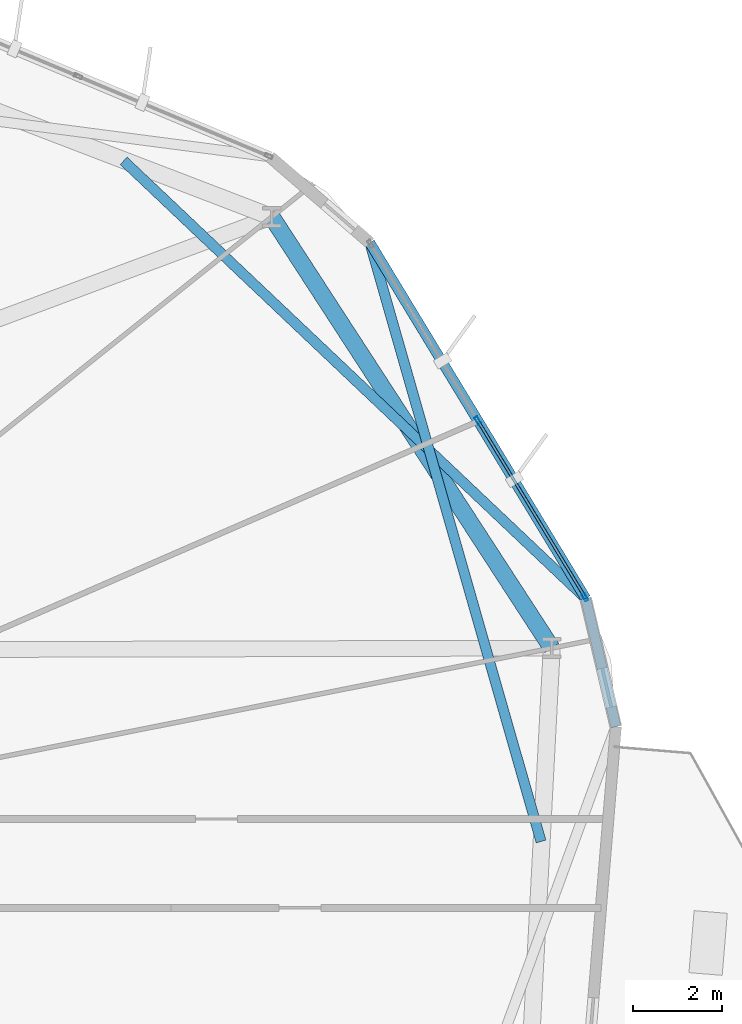
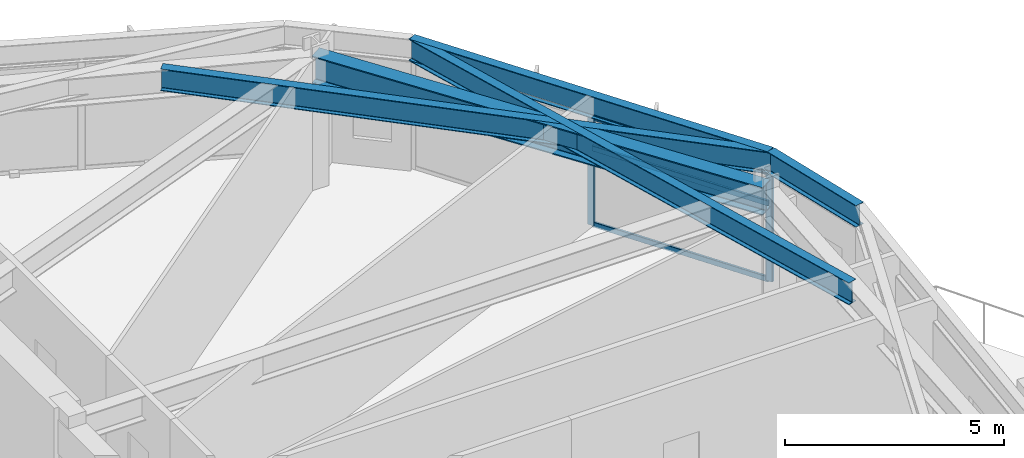
# One storey, part 10 of 21: 5 beams, 5 members, 1 element without a shape of its own.
"""IFC4 building model written with IfcOpenShell, lengths in metres."""

from ifc_helpers import new_model, si_unit, direction, frame, origin, origin_2d, place, context, subcontext, project, spatial, hollow_rectangle, i_section, extrude, material, layer, layer_set, material_profile, profile_set, type_object, element, aggregate, save


model = new_model("IFC4")

# Units and contexts
model_context = context("Model", 3, precision=1e-05, world=origin(), true_north=direction((0.0, 1.0)))
body_context = subcontext(model_context, "Body", "Model", "MODEL_VIEW")
ifc_project = project(units=[si_unit("LENGTHUNIT", "METRE"), si_unit("AREAUNIT", "SQUARE_METRE"), si_unit("VOLUMEUNIT", "CUBIC_METRE"), si_unit("PLANEANGLEUNIT", "RADIAN"), si_unit("MASSUNIT", "GRAM", prefix="KILO")], contexts=[model_context])

# Site, building, storey
site_placement = place(None, origin())
site = spatial("IfcSite", under=ifc_project, at=site_placement, CompositionType="ELEMENT")
building_placement = place(site_placement, origin())
building = spatial("IfcBuilding", under=site, at=building_placement, Name="Soratama Intermodal Tower", CompositionType="ELEMENT")
storey_placement = place(building_placement, frame((0.0, 0.0, 78.60009765625)))
storey = spatial("IfcBuildingStorey", under=building, at=storey_placement, Name="L18", CompositionType="ELEMENT", Elevation=78.60009765625)

# Beams
ifc_material_1 = material(Name="Structural steel ASTM A992 Grade 50", Category="steel")
ifc_material_profile_1 = material_profile(ifc_material_1, i_section(OverallWidth=0.382080078125, OverallDepth=0.779052734375, WebThickness=0.01806640625, FlangeThickness=0.030029296875, FilletRadius=0.01806640625, at=origin_2d()), Name="W30X191")
ifc_profile_set_1 = profile_set([ifc_material_profile_1], Name="Structural steel ASTM A992 Grade 50")
beam_type_1 = type_object("IfcBeamType", Name="BM-RING-W30X191", PredefinedType="BEAM", material=ifc_profile_set_1)
beam_1_placement = place(storey_placement, frame((63.08203125, 29.844970703125, 3.2705078125), z_axis=(-0.544623370352, 0.838680740489, 0.0), x_axis=(-0.838680740489, -0.544623370352, 0.0)))
element("IfcBeam", 1, at=beam_1_placement, inside=storey, type_object=beam_type_1, Name="BM-L18-RING-01", PredefinedType="BEAM", context=body_context, shape_type="SweptSolid", body=[
    extrude(i_section(OverallWidth=0.382080078125, OverallDepth=0.779052734375, WebThickness=0.01806640625, FlangeThickness=0.030029296875, FilletRadius=0.01806640625, at=origin_2d()), origin(), (0.0, 0.0, 1.0), 11.569580078125),
])
ifc_material_2 = material(Name="Structural steel ASTM A992 Grade 50", Category="steel")
ifc_material_profile_2 = material_profile(ifc_material_2, i_section(OverallWidth=0.22900390625, OverallDepth=0.612060546875, WebThickness=0.011962890625, FlangeThickness=0.01953125, FilletRadius=0.012939453125, at=origin_2d()), Name="W24X84")
ifc_profile_set_2 = profile_set([ifc_material_profile_2], Name="Structural steel ASTM A992 Grade 50")
beam_type_2 = type_object("IfcBeamType", Name="BM-SPN-W24X84", PredefinedType="SPANDREL", material=ifc_profile_set_2)
beam_2_placement = place(storey_placement, frame((63.845947265625, 30.965087890625, 3.35400390625), z_axis=(-0.518822961954, 0.854881707694, 0.0), x_axis=(-0.854881707694, -0.518822961954, 0.0)))
element("IfcBeam", 2, at=beam_2_placement, inside=storey, type_object=beam_type_2, Name="BS-L18-F01", PredefinedType="SPANDREL", context=body_context, shape_type="SweptSolid", body=[
    extrude(i_section(OverallWidth=0.22900390625, OverallDepth=0.612060546875, WebThickness=0.011962890625, FlangeThickness=0.01953125, FilletRadius=0.012939453125, at=origin_2d()), origin(), (0.0, 0.0, 1.0), 9.361328125),
])
beam_3_placement = place(storey_placement, frame((64.527099609375, 28.077880859375, 3.35400390625), z_axis=(-0.229617282914, 0.973280999191, 0.0), x_axis=(-0.973280999191, -0.229617282914, 0.0)))
element("IfcBeam", 3, at=beam_3_placement, inside=storey, type_object=beam_type_2, Name="BS-L18-CRN10", PredefinedType="SPANDREL", context=body_context, shape_type="SweptSolid", body=[
    extrude(i_section(OverallWidth=0.22900390625, OverallDepth=0.612060546875, WebThickness=0.011962890625, FlangeThickness=0.01953125, FilletRadius=0.012939453125, at=origin_2d()), origin(), (0.0, 0.0, 1.0), 2.966552734375),
])
ifc_material_3 = material(Name="Structural steel ASTM A992 Grade 50", Category="steel")
ifc_material_profile_3 = material_profile(ifc_material_3, i_section(OverallWidth=0.22900390625, OverallDepth=0.612060546875, WebThickness=0.011962890625, FlangeThickness=0.01953125, FilletRadius=0.012939453125, at=origin_2d()), Name="W24X84")
ifc_profile_set_3 = profile_set([ifc_material_profile_3], Name="Structural steel ASTM A992 Grade 50")
beam_type_3 = type_object("IfcBeamType", Name="BM-TIE-W24X84", PredefinedType="BEAM", material=ifc_profile_set_3)
beam_4_placement = place(storey_placement, frame((53.447998046875, 40.81103515625, 3.35400390625), z_axis=(0.726117976254, -0.687570130649, 0.0), x_axis=(0.687570130649, 0.726117976254, 0.0)))
element("IfcBeam", 4, at=beam_4_placement, inside=storey, type_object=beam_type_3, Name="BM-L18-TIE0-01", PredefinedType="BEAM", context=body_context, shape_type="SweptSolid", body=[
    extrude(i_section(OverallWidth=0.22900390625, OverallDepth=0.612060546875, WebThickness=0.011962890625, FlangeThickness=0.01953125, FilletRadius=0.012939453125, at=origin_2d()), origin(), (0.0, 0.0, 1.0), 14.31982421875),
])
beam_5_placement = place(storey_placement, frame((62.841064453125, 25.493896484375, 3.35400390625), z_axis=(-0.274872985456, 0.961480546796, 0.0), x_axis=(-0.961480546796, -0.274872985456, 0.0)))
element("IfcBeam", 5, at=beam_5_placement, inside=storey, type_object=beam_type_3, Name="BM-L18-TIE1-01", PredefinedType="BEAM", context=body_context, shape_type="SweptSolid", body=[
    extrude(i_section(OverallWidth=0.22900390625, OverallDepth=0.612060546875, WebThickness=0.011962890625, FlangeThickness=0.01953125, FilletRadius=0.012939453125, at=origin_2d()), origin(), (0.0, 0.0, 1.0), 14.013916015625),
])

# Curtain wall, members
ifc_material_4 = material(Name="Double-glazed aluminium curtain wall", Category="aluminium")
ifc_layer = layer(ifc_material_4, 0.159912109375)
ifc_layer_set = layer_set([ifc_layer], Name="Double-glazed aluminium curtain wall")
curtain_wall_type = type_object("IfcCurtainWallType", Name="CW-SYS-2", PredefinedType="NOTDEFINED", material=ifc_layer_set)
curtain_wall_placement = place(storey_placement, origin())
curtain_wall = element("IfcCurtainWall", 6, at=curtain_wall_placement, inside=storey, type_object=curtain_wall_type, Name="L18 Faceted Curtain Wall F01", PredefinedType="NOTDEFINED")
ifc_material_5 = material(Name="Anodised aluminium AA 6063-T6", Category="aluminium")
ifc_material_profile_4 = material_profile(ifc_material_5, hollow_rectangle(XDim=0.074951171875, YDim=0.179931640625, WallThickness=0.006103515625, InnerFilletRadius=0.006103515625, OuterFilletRadius=0.011962890625, at=origin_2d()), Name="CWM180X75X6")
ifc_profile_set_4 = profile_set([ifc_material_profile_4], Name="Anodised aluminium AA 6063-T6")
member_type_1 = type_object("IfcMemberType", Name="MT-CWM-2", PredefinedType="MULLION", material=ifc_profile_set_4)
member_1_placement = place(storey_placement, frame((63.830810546875, 30.99072265625, 0.0), z_axis=(0.0, 0.0, 1.0), x_axis=(-0.854820684585, -0.518923498414, 0.0)))
member_1 = element("IfcMember", 7, at=member_1_placement, type_object=member_type_1, Name="CW-2 mullion 1", PredefinedType="MULLION", context=body_context, shape_type="SweptSolid", body=[
    extrude(hollow_rectangle(XDim=0.074951171875, YDim=0.179931640625, WallThickness=0.006103515625, InnerFilletRadius=0.006103515625, OuterFilletRadius=0.011962890625, at=origin_2d()), origin(), (0.0, 0.0, 1.0), 3.038818359375),
])
member_2_placement = place(storey_placement, frame((61.41748046875, 34.96630859375, 0.0), z_axis=(0.0, 0.0, 1.0), x_axis=(-0.854820684585, -0.518923498414, 0.0)))
member_2 = element("IfcMember", 8, at=member_2_placement, type_object=member_type_1, Name="CW-2 mullion 2", PredefinedType="MULLION", context=body_context, shape_type="SweptSolid", body=[
    extrude(hollow_rectangle(XDim=0.074951171875, YDim=0.179931640625, WallThickness=0.006103515625, InnerFilletRadius=0.006103515625, OuterFilletRadius=0.011962890625, at=origin_2d()), origin(), (0.0, 0.0, 1.0), 3.038818359375),
])
ifc_material_6 = material(Name="Anodised aluminium AA 6063-T6", Category="aluminium")
ifc_material_profile_5 = material_profile(ifc_material_6, hollow_rectangle(XDim=0.06494140625, YDim=0.14990234375, WallThickness=0.0048828125, InnerFilletRadius=0.0048828125, OuterFilletRadius=0.010009765625, at=origin_2d()), Name="CWT150X65X5")
ifc_profile_set_5 = profile_set([ifc_material_profile_5], Name="Anodised aluminium AA 6063-T6")
member_type_2 = type_object("IfcMemberType", Name="TT-CWT-1", PredefinedType="USERDEFINED", material=ifc_profile_set_5)
member_3_placement = place(storey_placement, frame((63.8154296875, 31.016357421875, 0.02978515625), z_axis=(-0.518930950404, 0.85481616077, 0.0), x_axis=(-0.85481616077, -0.518930950404, 0.0)))
member_3 = element("IfcMember", 9, at=member_3_placement, type_object=member_type_2, Name="CW-2 transom 1.1", ObjectType="TRANSOM", PredefinedType="USERDEFINED", context=body_context, shape_type="SweptSolid", body=[
    extrude(hollow_rectangle(XDim=0.06494140625, YDim=0.14990234375, WallThickness=0.0048828125, InnerFilletRadius=0.0048828125, OuterFilletRadius=0.010009765625, at=origin_2d()), origin(), (0.0, 0.0, 1.0), 4.5908203125),
])
member_4_placement = place(storey_placement, frame((63.8154296875, 31.016357421875, 2.14990234375), z_axis=(-0.518930950404, 0.85481616077, 0.0), x_axis=(-0.85481616077, -0.518930950404, 0.0)))
member_4 = element("IfcMember", 10, at=member_4_placement, type_object=member_type_2, Name="CW-2 transom 1.2", ObjectType="TRANSOM", PredefinedType="USERDEFINED", context=body_context, shape_type="SweptSolid", body=[
    extrude(hollow_rectangle(XDim=0.06494140625, YDim=0.14990234375, WallThickness=0.0048828125, InnerFilletRadius=0.0048828125, OuterFilletRadius=0.010009765625, at=origin_2d()), origin(), (0.0, 0.0, 1.0), 4.5908203125),
])
member_5_placement = place(storey_placement, frame((63.8154296875, 31.016357421875, 3.0087890625), z_axis=(-0.518930950404, 0.85481616077, 0.0), x_axis=(-0.85481616077, -0.518930950404, 0.0)))
member_5 = element("IfcMember", 11, at=member_5_placement, type_object=member_type_2, Name="CW-2 transom 1.3", ObjectType="TRANSOM", PredefinedType="USERDEFINED", context=body_context, shape_type="SweptSolid", body=[
    extrude(hollow_rectangle(XDim=0.06494140625, YDim=0.14990234375, WallThickness=0.0048828125, InnerFilletRadius=0.0048828125, OuterFilletRadius=0.010009765625, at=origin_2d()), origin(), (0.0, 0.0, 1.0), 4.5908203125),
])
aggregate(curtain_wall, [member_1, member_2, member_3, member_4, member_5])

save(model, "model.ifc")
